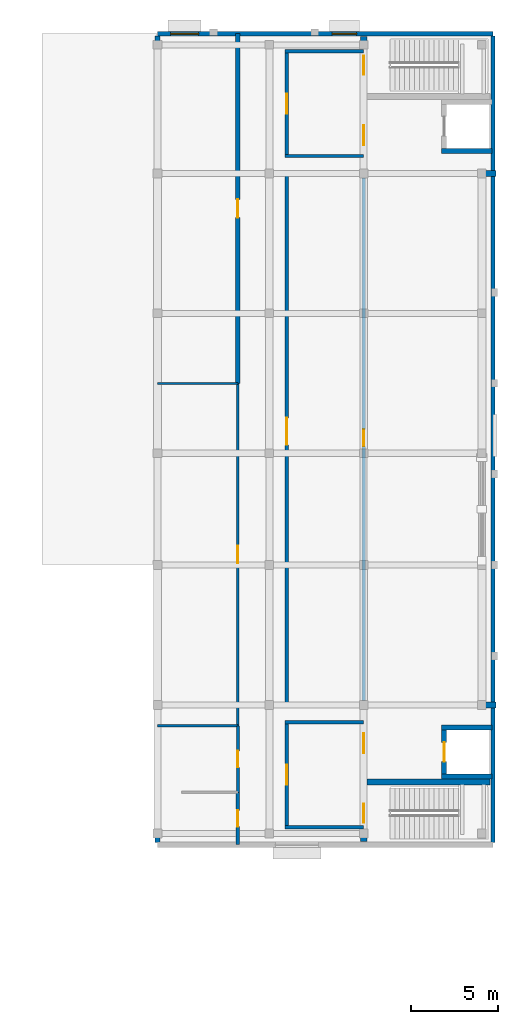
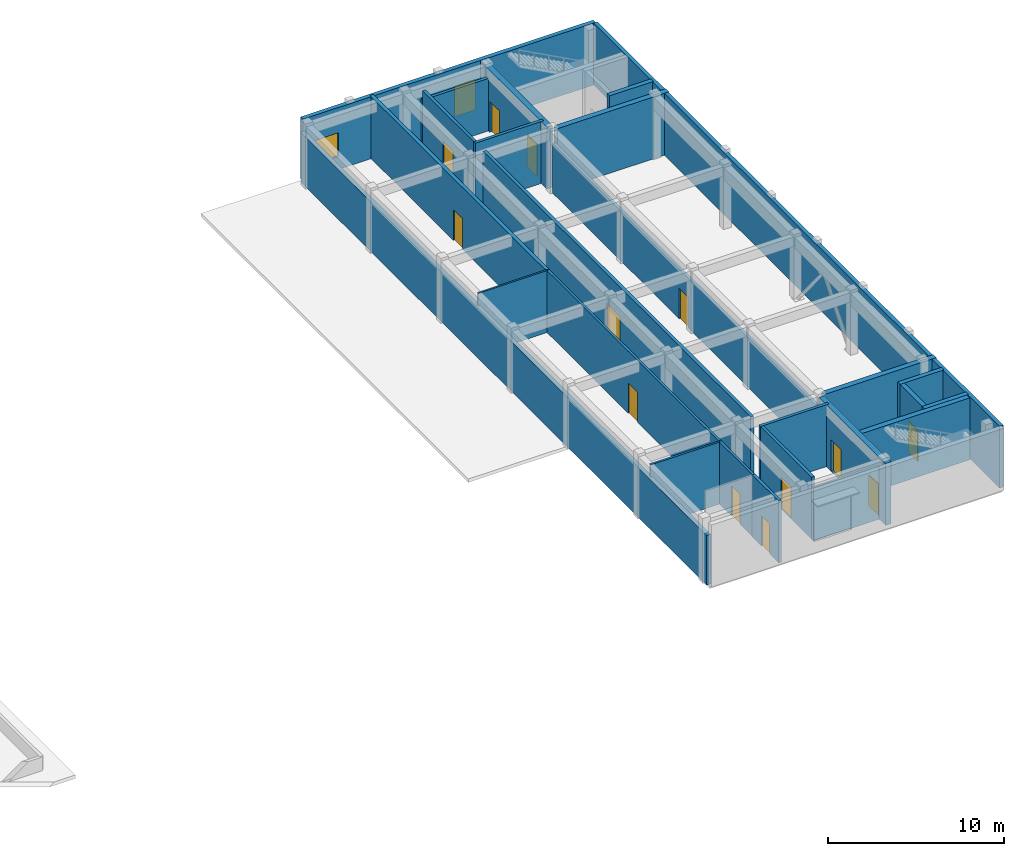
# One storey, part 7 of 11: 26 walls, 13 doors, 2 windows, 15 openings.
"""IFC4 building model written with IfcOpenShell, lengths in metres."""

from ifc_helpers import new_model, si_unit, direction, frame, frame_2d, origin, place, context, subcontext, project, spatial, rectangle, extrude, material, layer, layer_set, type_object, element, fill, save


model = new_model("IFC4")

# Units and contexts
model_context = context("Model", 3, precision=1e-05, world=origin(), true_north=direction((0.0, 1.0)))
body_context = subcontext(model_context, "Body", "Model", "MODEL_VIEW")
ifc_project = project(units=[si_unit("LENGTHUNIT", "METRE"), si_unit("AREAUNIT", "SQUARE_METRE"), si_unit("VOLUMEUNIT", "CUBIC_METRE"), si_unit("PLANEANGLEUNIT", "RADIAN"), si_unit("MASSUNIT", "GRAM", prefix="KILO")], contexts=[model_context])

# Site, building, storey
site_placement = place(None, origin())
site = spatial("IfcSite", under=ifc_project, at=site_placement, CompositionType="ELEMENT")
building_placement = place(site_placement, origin())
building = spatial("IfcBuilding", under=site, at=building_placement, Name="Cinchona Park Media Centre", CompositionType="ELEMENT")
storey_placement = place(building_placement, frame((0.0, 0.0, 24.89990234375)))
storey = spatial("IfcBuildingStorey", under=building, at=storey_placement, Name="L05", CompositionType="ELEMENT", Elevation=24.89990234375)

# Wall, opening, door
ifc_material_1 = material(Name="Acoustic Double-Stud Gypsum Partition", Category="gypsum")
ifc_layer_1 = layer(ifc_material_1, 0.2099609375)
ifc_layer_set_1 = layer_set([ifc_layer_1], Name="Acoustic Double-Stud Gypsum Partition")
wall_type_1 = type_object("IfcWallType", Name="WALL-W-AC210", PredefinedType="PARTITIONING", material=ifc_layer_set_1)
wall_1_placement = place(storey_placement, frame((160.199951171875, 110.0, 0.0), z_axis=(0.0, 0.0, 1.0), x_axis=(0.0, -1.0, 0.0)))
wall_1 = element("IfcWall", 1, at=wall_1_placement, inside=storey, type_object=wall_type_1, Name="Interior Wall W-AC210 L05", PredefinedType="PARTITIONING", context=body_context, shape_type="SweptSolid", body=[
    extrude(rectangle(XDim=30.39990234375, YDim=0.2099609375, at=frame_2d((15.199951171875, 0.0))), origin(), (0.0, 0.0, 1.0), 4.300048828125),
])
opening_1_placement = place(wall_1_placement, frame((13.97998046875, 0.0, 0.0)))
opening_1 = element("IfcOpeningElement", 2, at=opening_1_placement, cuts=wall_1, Name="Opening D361", PredefinedType="OPENING", context=body_context, shape_type="SweptSolid", body=[
    extrude(rectangle(XDim=1.550048828125, YDim=2.25, at=frame_2d((0.77490234375, 1.125))), frame((0.0, 0.114990234375, 0.0), z_axis=(0.0, -1.0, 0.0), x_axis=(1.0, 0.0, 0.0)), (0.0, 0.0, 1.0), 0.22998046875),
])
ifc_material_2 = material(Name="Solid-Core Timber Acoustic Door", Category="wood")
door_type_1 = type_object("IfcDoorType", Name="DOOR-DT16", OperationType="NOTDEFINED", PredefinedType="DOOR", material=ifc_material_2)
door_1_placement = place(opening_1_placement, origin())
door_1 = element("IfcDoor", 3, at=door_1_placement, inside=storey, type_object=door_type_1, Name="Interior Door D361", OperationType="SINGLE_SWING_LEFT", OverallHeight=2.25, OverallWidth=1.550048828125, PredefinedType="DOOR", context=body_context, shape_type="SweptSolid", body=[
    extrude(rectangle(XDim=1.550048828125, YDim=2.25, at=frame_2d((0.77490234375, 1.125))), frame((0.0, 0.02490234375, 0.0), z_axis=(0.0, -1.0, 0.0), x_axis=(1.0, 0.0, 0.0)), (0.0, 0.0, 1.0), 0.050048828125),
])
fill(opening_1, door_1)

ifc_material_3 = material(Name="Acoustic Double-Stud Gypsum Partition", Category="gypsum")
ifc_layer_2 = layer(ifc_material_3, 0.239990234375)
ifc_layer_set_2 = layer_set([ifc_layer_2], Name="Acoustic Double-Stud Gypsum Partition")
wall_type_2 = type_object("IfcWallType", Name="WALL-W-AC240", PredefinedType="PARTITIONING", material=ifc_layer_set_2)
wall_2_placement = place(storey_placement, frame((157.39990234375, 98.0, 0.0), z_axis=(0.0, 0.0, 1.0), x_axis=(0.0, 1.0, 0.0)))
wall_2 = element("IfcWall", 4, at=wall_2_placement, inside=storey, type_object=wall_type_2, Name="Interior Wall W-AC240 L05", PredefinedType="PARTITIONING", context=body_context, shape_type="SweptSolid", body=[
    extrude(rectangle(XDim=20.0, YDim=0.239990234375, at=frame_2d((10.0, 0.0))), origin(), (0.0, 0.0, 1.0), 4.300048828125),
])
opening_2_placement = place(wall_2_placement, frame((9.47509765625, 0.0, 0.0)))
opening_2 = element("IfcOpeningElement", 5, at=opening_2_placement, cuts=wall_2, Name="Opening D360", PredefinedType="OPENING", context=body_context, shape_type="SweptSolid", body=[
    extrude(rectangle(XDim=1.050048828125, YDim=2.14990234375, at=frame_2d((0.52490234375, 1.074951171875))), frame((0.0, 0.1298828125, 0.0), z_axis=(0.0, -1.0, 0.0), x_axis=(1.0, 0.0, 0.0)), (0.0, 0.0, 1.0), 0.260009765625),
])
ifc_material_4 = material(Name="Solid-Core Timber Acoustic Door", Category="wood")
door_type_2 = type_object("IfcDoorType", Name="DOOR-DT06", OperationType="NOTDEFINED", PredefinedType="DOOR", material=ifc_material_4)
door_2_placement = place(opening_2_placement, origin())
door_2 = element("IfcDoor", 6, at=door_2_placement, inside=storey, type_object=door_type_2, Name="Interior Door D360", OperationType="SINGLE_SWING_RIGHT", OverallHeight=2.14990234375, OverallWidth=1.050048828125, PredefinedType="DOOR", context=body_context, shape_type="SweptSolid", body=[
    extrude(rectangle(XDim=1.050048828125, YDim=2.14990234375, at=frame_2d((0.52490234375, 1.074951171875))), frame((0.0, 0.02490234375, 0.0), z_axis=(0.0, -1.0, 0.0), x_axis=(1.0, 0.0, 0.0)), (0.0, 0.0, 1.0), 0.050048828125),
])
fill(opening_2, door_2)

# Wall
ifc_material_5 = material(Name="Concrete C40/50", Category="concrete")
ifc_layer_3 = layer(ifc_material_5, 0.35009765625)
ifc_layer_set_3 = layer_set([ifc_layer_3], Name="Concrete C40/50")
wall_type_3 = type_object("IfcWallType", Name="WALL-W-CR350", PredefinedType="SHEAR", material=ifc_layer_set_3)
wall_3_placement = place(storey_placement, frame((164.85205078125, 79.60009765625, 0.0), z_axis=(0.0, 0.0, 1.0), x_axis=(1.0, 0.0, 0.0)))
element("IfcWall", 7, at=wall_3_placement, inside=storey, type_object=wall_type_3, Name="Core Shear Wall W-CR350 L05", PredefinedType="SHEAR", context=body_context, shape_type="SweptSolid", body=[
    extrude(rectangle(XDim=7.322998046875, YDim=0.35009765625, at=frame_2d((3.66162109375, 0.0))), origin(), (0.0, 0.0, 1.0), 4.300048828125),
])

# Wall, openings, doors
wall_4_placement = place(storey_placement, frame((164.60009765625, 71.77490234375, 0.0), z_axis=(0.0, 0.0, 1.0), x_axis=(0.0, 1.0, 0.0)))
wall_4 = element("IfcWall", 8, at=wall_4_placement, inside=storey, type_object=wall_type_3, Name="Core Shear Wall W-CR350 L05", PredefinedType="SHEAR", context=body_context, shape_type="SweptSolid", body=[
    extrude(rectangle(XDim=7.572998046875, YDim=0.35009765625, at=frame_2d((3.78662109375, 0.0))), origin(), (0.0, 0.0, 1.0), 4.300048828125),
])
opening_3_placement = place(wall_4_placement, frame((1.074951171875, 0.0, 0.0)))
opening_3 = element("IfcOpeningElement", 9, at=opening_3_placement, cuts=wall_4, Name="Opening D116", PredefinedType="OPENING", context=body_context, shape_type="SweptSolid", body=[
    extrude(rectangle(XDim=1.10009765625, YDim=2.14990234375, at=frame_2d((0.550048828125, 1.074951171875))), frame((0.0, 0.18505859375, 0.0), z_axis=(0.0, -1.0, 0.0), x_axis=(1.0, 0.0, 0.0)), (0.0, 0.0, 1.0), 0.3701171875),
])
opening_4_placement = place(wall_4_placement, frame((5.050048828125, 0.0, 0.0)))
opening_4 = element("IfcOpeningElement", 10, at=opening_4_placement, cuts=wall_4, Name="Opening D117", PredefinedType="OPENING", context=body_context, shape_type="SweptSolid", body=[
    extrude(rectangle(XDim=1.14990234375, YDim=2.199951171875, at=frame_2d((0.574951171875, 1.10009765625))), frame((0.0, 0.18505859375, 0.0), z_axis=(0.0, -1.0, 0.0), x_axis=(1.0, 0.0, 0.0)), (0.0, 0.0, 1.0), 0.3701171875),
])
ifc_material_6 = material(Name="Insulated Fire-Rated Steel Door", Category="steel")
door_type_3 = type_object("IfcDoorType", Name="DOOR-DT-FF", OperationType="NOTDEFINED", PredefinedType="DOOR", material=ifc_material_6)
door_3_placement = place(opening_4_placement, origin())
door_3 = element("IfcDoor", 11, at=door_3_placement, inside=storey, type_object=door_type_3, Name="Interior Door D117", OperationType="SINGLE_SWING_LEFT", OverallHeight=2.199951171875, OverallWidth=1.14990234375, PredefinedType="DOOR", context=body_context, shape_type="SweptSolid", body=[
    extrude(rectangle(XDim=1.14990234375, YDim=2.199951171875, at=frame_2d((0.574951171875, 1.10009765625))), frame((0.0, 0.02490234375, 0.0), z_axis=(0.0, -1.0, 0.0), x_axis=(1.0, 0.0, 0.0)), (0.0, 0.0, 1.0), 0.050048828125),
])
fill(opening_4, door_3)
ifc_material_7 = material(Name="Insulated Fire-Rated Steel Door", Category="steel")
door_type_4 = type_object("IfcDoorType", Name="DOOR-DT-ST", OperationType="NOTDEFINED", PredefinedType="DOOR", material=ifc_material_7)
door_4_placement = place(opening_3_placement, origin())
door_4 = element("IfcDoor", 12, at=door_4_placement, inside=storey, type_object=door_type_4, Name="Interior Door D116", OperationType="SINGLE_SWING_RIGHT", OverallHeight=2.14990234375, OverallWidth=1.10009765625, PredefinedType="DOOR", context=body_context, shape_type="SweptSolid", body=[
    extrude(rectangle(XDim=1.10009765625, YDim=2.14990234375, at=frame_2d((0.550048828125, 1.074951171875))), frame((0.0, 0.02490234375, 0.0), z_axis=(0.0, -1.0, 0.0), x_axis=(1.0, 0.0, 0.0)), (0.0, 0.0, 1.0), 0.050048828125),
])
fill(opening_3, door_4)

# Walls
wall_5_placement = place(storey_placement, frame((164.77490234375, 75.199951171875, 0.0), z_axis=(0.0, 0.0, 1.0), x_axis=(1.0, 0.0, 0.0)))
element("IfcWall", 13, at=wall_5_placement, inside=storey, type_object=wall_type_3, Name="Core Shear Wall W-CR350 L05", PredefinedType="SHEAR", context=body_context, shape_type="SweptSolid", body=[
    extrude(rectangle(XDim=7.050048828125, YDim=0.35009765625, at=frame_2d((3.52490234375, 0.0))), origin(), (0.0, 0.0, 1.0), 4.300048828125),
])
wall_6_placement = place(storey_placement, frame((164.85205078125, 110.0, 0.0), z_axis=(0.0, 0.0, 1.0), x_axis=(1.0, 0.0, 0.0)))
element("IfcWall", 14, at=wall_6_placement, inside=storey, type_object=wall_type_3, Name="Core Shear Wall W-CR350 L05", PredefinedType="SHEAR", context=body_context, shape_type="SweptSolid", body=[
    extrude(rectangle(XDim=7.322998046875, YDim=0.35009765625, at=frame_2d((3.66162109375, 0.0))), origin(), (0.0, 0.0, 1.0), 4.300048828125),
])

# Wall, openings, doors
wall_7_placement = place(storey_placement, frame((164.60009765625, 110.251953125, 0.0), z_axis=(0.0, 0.0, 1.0), x_axis=(0.0, 1.0, 0.0)))
wall_7 = element("IfcWall", 15, at=wall_7_placement, inside=storey, type_object=wall_type_3, Name="Core Shear Wall W-CR350 L05", PredefinedType="SHEAR", context=body_context, shape_type="SweptSolid", body=[
    extrude(rectangle(XDim=7.572998046875, YDim=0.35009765625, at=frame_2d((3.78662109375, 0.0))), origin(), (0.0, 0.0, 1.0), 4.300048828125),
])
opening_5_placement = place(wall_7_placement, frame((5.39794921875, 0.0, 0.0)))
opening_5 = element("IfcOpeningElement", 16, at=opening_5_placement, cuts=wall_7, Name="Opening D119", PredefinedType="OPENING", context=body_context, shape_type="SweptSolid", body=[
    extrude(rectangle(XDim=1.10009765625, YDim=2.14990234375, at=frame_2d((0.550048828125, 1.074951171875))), frame((0.0, 0.18505859375, 0.0), z_axis=(0.0, -1.0, 0.0), x_axis=(1.0, 0.0, 0.0)), (0.0, 0.0, 1.0), 0.3701171875),
])
opening_6_placement = place(wall_7_placement, frame((1.373046875, 0.0, 0.0)))
opening_6 = element("IfcOpeningElement", 17, at=opening_6_placement, cuts=wall_7, Name="Opening D120", PredefinedType="OPENING", context=body_context, shape_type="SweptSolid", body=[
    extrude(rectangle(XDim=1.14990234375, YDim=2.199951171875, at=frame_2d((0.574951171875, 1.10009765625))), frame((0.0, 0.18505859375, 0.0), z_axis=(0.0, -1.0, 0.0), x_axis=(1.0, 0.0, 0.0)), (0.0, 0.0, 1.0), 0.3701171875),
])
door_5_placement = place(opening_6_placement, origin())
door_5 = element("IfcDoor", 18, at=door_5_placement, inside=storey, type_object=door_type_3, Name="Interior Door D120", OperationType="SINGLE_SWING_RIGHT", OverallHeight=2.199951171875, OverallWidth=1.14990234375, PredefinedType="DOOR", context=body_context, shape_type="SweptSolid", body=[
    extrude(rectangle(XDim=1.14990234375, YDim=2.199951171875, at=frame_2d((0.574951171875, 1.10009765625))), frame((0.0, 0.02490234375, 0.0), z_axis=(0.0, -1.0, 0.0), x_axis=(1.0, 0.0, 0.0)), (0.0, 0.0, 1.0), 0.050048828125),
])
fill(opening_6, door_5)
door_6_placement = place(opening_5_placement, origin())
door_6 = element("IfcDoor", 19, at=door_6_placement, inside=storey, type_object=door_type_4, Name="Interior Door D119", OperationType="SINGLE_SWING_LEFT", OverallHeight=2.14990234375, OverallWidth=1.10009765625, PredefinedType="DOOR", context=body_context, shape_type="SweptSolid", body=[
    extrude(rectangle(XDim=1.10009765625, YDim=2.14990234375, at=frame_2d((0.550048828125, 1.074951171875))), frame((0.0, 0.02490234375, 0.0), z_axis=(0.0, -1.0, 0.0), x_axis=(1.0, 0.0, 0.0)), (0.0, 0.0, 1.0), 0.050048828125),
])
fill(opening_5, door_6)

# Wall, openings, windows
ifc_material_8 = material(Name="Precast concrete C40/50", Category="concrete")
ifc_layer_4 = layer(ifc_material_8, 0.27490234375)
ifc_layer_set_4 = layer_set([ifc_layer_4], Name="Precast concrete C40/50")
wall_type_4 = type_object("IfcWallType", Name="WALL-W-EX03", PredefinedType="SOLIDWALL", material=ifc_layer_set_4)
wall_8_placement = place(storey_placement, frame((152.800048828125, 118.0, 0.0), z_axis=(0.0, 0.0, 1.0), x_axis=(1.0, 0.0, 0.0)))
wall_8 = element("IfcWall", 20, at=wall_8_placement, inside=storey, type_object=wall_type_4, Name="Exterior Wall W-EX03 V7 L05", PredefinedType="SOLIDWALL", context=body_context, shape_type="SweptSolid", body=[
    extrude(rectangle(XDim=19.199951171875, YDim=0.27490234375, at=frame_2d((9.60009765625, 0.0))), origin(), (0.0, 0.0, 1.0), 4.300048828125),
])
opening_7_placement = place(wall_8_placement, frame((0.75, 0.0, 0.89990234375)))
opening_7 = element("IfcOpeningElement", 21, at=opening_7_placement, cuts=wall_8, Name="Opening WN25", PredefinedType="OPENING", context=body_context, shape_type="SweptSolid", body=[
    extrude(rectangle(XDim=1.60009765625, YDim=1.64990234375, at=frame_2d((0.800048828125, 0.824951171875))), frame((0.0, 0.1474609375, 0.0), z_axis=(0.0, -1.0, 0.0), x_axis=(1.0, 0.0, 0.0)), (0.0, 0.0, 1.0), 0.294921875),
])
opening_8_placement = place(wall_8_placement, frame((10.0, 0.0, 0.89990234375)))
opening_8 = element("IfcOpeningElement", 22, at=opening_8_placement, cuts=wall_8, Name="Opening WN01", PredefinedType="OPENING", context=body_context, shape_type="SweptSolid", body=[
    extrude(rectangle(XDim=1.39990234375, YDim=2.10009765625, at=frame_2d((0.699951171875, 1.050048828125))), frame((0.0, 0.1474609375, 0.0), z_axis=(0.0, -1.0, 0.0), x_axis=(1.0, 0.0, 0.0)), (0.0, 0.0, 1.0), 0.294921875),
])
ifc_material_9 = material(Name="Thermally Broken Aluminium Solar-Control Window", Category="aluminium")
window_type_1 = type_object("IfcWindowType", Name="WIN-WN01", PartitioningType="SINGLE_PANEL", PredefinedType="WINDOW", material=ifc_material_9)
window_1_placement = place(opening_8_placement, origin())
window_1 = element("IfcWindow", 23, at=window_1_placement, inside=storey, type_object=window_type_1, Name="Window WN01 L05", OverallHeight=2.10009765625, OverallWidth=1.39990234375, PartitioningType="SINGLE_PANEL", PredefinedType="WINDOW", context=body_context, shape_type="SweptSolid", body=[
    extrude(rectangle(XDim=1.39990234375, YDim=2.10009765625, at=frame_2d((0.699951171875, 1.050048828125))), frame((0.0, 0.030029296875, 0.0), z_axis=(0.0, -1.0, 0.0), x_axis=(1.0, 0.0, 0.0)), (0.0, 0.0, 1.0), 0.06005859375),
])
fill(opening_8, window_1)
ifc_material_10 = material(Name="Thermally Broken Aluminium Solar-Control Window", Category="aluminium")
window_type_2 = type_object("IfcWindowType", Name="WIN-WN25", PartitioningType="SINGLE_PANEL", PredefinedType="WINDOW", material=ifc_material_10)
window_2_placement = place(opening_7_placement, origin())
window_2 = element("IfcWindow", 24, at=window_2_placement, inside=storey, type_object=window_type_2, Name="Window WN25 L05", OverallHeight=1.64990234375, OverallWidth=1.60009765625, PartitioningType="SINGLE_PANEL", PredefinedType="WINDOW", context=body_context, shape_type="SweptSolid", body=[
    extrude(rectangle(XDim=1.60009765625, YDim=1.64990234375, at=frame_2d((0.800048828125, 0.824951171875))), frame((0.0, 0.030029296875, 0.0), z_axis=(0.0, -1.0, 0.0), x_axis=(1.0, 0.0, 0.0)), (0.0, 0.0, 1.0), 0.06005859375),
])
fill(opening_7, window_2)

# Walls
wall_9_placement = place(storey_placement, frame((152.800048828125, 71.739990234375, 0.0), z_axis=(0.0, 0.0, 1.0), x_axis=(0.0, 1.0, 0.0)))
element("IfcWall", 25, at=wall_9_placement, inside=storey, type_object=wall_type_4, Name="Exterior Wall W-EX03 V7 L05", PredefinedType="SOLIDWALL", context=body_context, shape_type="SweptSolid", body=[
    extrude(rectangle(XDim=46.1201171875, YDim=0.27490234375, at=frame_2d((23.06005859375, 0.0))), origin(), (0.0, 0.0, 1.0), 3.4501953125),
])
ifc_material_11 = material(Name="Precast concrete C40/50", Category="concrete")
ifc_layer_5 = layer(ifc_material_11, 0.25)
ifc_layer_set_5 = layer_set([ifc_layer_5], Name="Precast concrete C40/50")
wall_type_5 = type_object("IfcWallType", Name="WALL-W-EX04", PredefinedType="SOLIDWALL", material=ifc_layer_set_5)
wall_10_placement = place(storey_placement, frame((172.0, 117.860107421875, 0.0), z_axis=(0.0, 0.0, 1.0), x_axis=(0.0, -1.0, 0.0)))
element("IfcWall", 26, at=wall_10_placement, inside=storey, type_object=wall_type_5, Name="Exterior Wall W-EX04 V7 L05", PredefinedType="SOLIDWALL", context=body_context, shape_type="SweptSolid", body=[
    extrude(rectangle(XDim=46.1201171875, YDim=0.25, at=frame_2d((23.06005859375, 0.0))), origin(), (0.0, 0.0, 1.0), 4.300048828125),
])
ifc_material_12 = material(Name="Gypsum Metal-Stud Partition", Category="gypsum")
ifc_layer_6 = layer(ifc_material_12, 0.114990234375)
ifc_layer_set_6 = layer_set([ifc_layer_6], Name="Gypsum Metal-Stud Partition")
wall_type_6 = type_object("IfcWallType", Name="WALL-W-PT115", PredefinedType="PARTITIONING", material=ifc_layer_set_6)
wall_11_placement = place(storey_placement, frame((152.800048828125, 98.0, 0.0), z_axis=(0.0, 0.0, 1.0), x_axis=(1.0, 0.0, 0.0)))
element("IfcWall", 27, at=wall_11_placement, inside=storey, type_object=wall_type_6, Name="Interior Wall W-PT115 L05", PredefinedType="PARTITIONING", context=body_context, shape_type="SweptSolid", body=[
    extrude(rectangle(XDim=4.599853515625, YDim=0.114990234375, at=frame_2d((2.2998046875, 0.0))), origin(), (0.0, 0.0, 1.0), 4.300048828125),
])
ifc_material_13 = material(Name="Gypsum Metal-Stud Partition", Category="gypsum")
ifc_layer_7 = layer(ifc_material_13, 0.135009765625)
ifc_layer_set_7 = layer_set([ifc_layer_7], Name="Gypsum Metal-Stud Partition")
wall_type_7 = type_object("IfcWallType", Name="WALL-W-PT135", PredefinedType="PARTITIONING", material=ifc_layer_set_7)
wall_12_placement = place(storey_placement, frame((152.800048828125, 78.39990234375, 0.0), z_axis=(0.0, 0.0, 1.0), x_axis=(1.0, 0.0, 0.0)))
element("IfcWall", 28, at=wall_12_placement, inside=storey, type_object=wall_type_7, Name="Interior Wall W-PT135 L05", PredefinedType="PARTITIONING", context=body_context, shape_type="SweptSolid", body=[
    extrude(rectangle(XDim=4.599853515625, YDim=0.135009765625, at=frame_2d((2.2998046875, 0.0))), origin(), (0.0, 0.0, 1.0), 4.300048828125),
])

# Wall, opening, door
ifc_material_14 = material(Name="Fire-Rated Gypsum Stud Partition", Category="gypsum")
ifc_layer_8 = layer(ifc_material_14, 0.14990234375)
ifc_layer_set_8 = layer_set([ifc_layer_8], Name="Fire-Rated Gypsum Stud Partition")
wall_type_8 = type_object("IfcWallType", Name="WALL-W-PT150", PredefinedType="PARTITIONING", material=ifc_layer_set_8)
wall_13_placement = place(storey_placement, frame((157.39990234375, 78.39990234375, 0.0), z_axis=(0.0, 0.0, 1.0), x_axis=(0.0, 1.0, 0.0)))
wall_13 = element("IfcWall", 29, at=wall_13_placement, inside=storey, type_object=wall_type_8, Name="Interior Wall W-PT150 L05", PredefinedType="PARTITIONING", context=body_context, shape_type="SweptSolid", body=[
    extrude(rectangle(XDim=19.60009765625, YDim=0.14990234375, at=frame_2d((9.800048828125, 0.0))), origin(), (0.0, 0.0, 1.0), 4.300048828125),
])
opening_9_placement = place(wall_13_placement, frame((9.2900390625, 0.0, 0.0)))
opening_9 = element("IfcOpeningElement", 30, at=opening_9_placement, cuts=wall_13, Name="Opening D359", PredefinedType="OPENING", context=body_context, shape_type="SweptSolid", body=[
    extrude(rectangle(XDim=1.02001953125, YDim=2.10009765625, at=frame_2d((0.510009765625, 1.050048828125))), frame((0.0, 0.0849609375, 0.0), z_axis=(0.0, -1.0, 0.0), x_axis=(1.0, 0.0, 0.0)), (0.0, 0.0, 1.0), 0.169921875),
])
ifc_material_15 = material(Name="Solid-Core Timber Acoustic Door", Category="wood")
door_type_5 = type_object("IfcDoorType", Name="DOOR-DT05", OperationType="NOTDEFINED", PredefinedType="DOOR", material=ifc_material_15)
door_7_placement = place(opening_9_placement, origin())
door_7 = element("IfcDoor", 31, at=door_7_placement, inside=storey, type_object=door_type_5, Name="Interior Door D359", OperationType="SINGLE_SWING_LEFT", OverallHeight=2.10009765625, OverallWidth=1.02001953125, PredefinedType="DOOR", context=body_context, shape_type="SweptSolid", body=[
    extrude(rectangle(XDim=1.02001953125, YDim=2.10009765625, at=frame_2d((0.510009765625, 1.050048828125))), frame((0.0, 0.02490234375, 0.0), z_axis=(0.0, -1.0, 0.0), x_axis=(1.0, 0.0, 0.0)), (0.0, 0.0, 1.0), 0.050048828125),
])
fill(opening_9, door_7)

ifc_material_16 = material(Name="Fire-Rated Gypsum Stud Partition", Category="gypsum")
ifc_layer_9 = layer(ifc_material_16, 0.1650390625)
ifc_layer_set_9 = layer_set([ifc_layer_9], Name="Fire-Rated Gypsum Stud Partition")
wall_type_9 = type_object("IfcWallType", Name="WALL-W-PT165", PredefinedType="PARTITIONING", material=ifc_layer_set_9)
wall_14_placement = place(storey_placement, frame((157.39990234375, 74.60009765625, 0.0), z_axis=(0.0, 0.0, 1.0), x_axis=(0.0, 1.0, 0.0)))
wall_14 = element("IfcWall", 32, at=wall_14_placement, inside=storey, type_object=wall_type_9, Name="Interior Wall W-PT165 L05", PredefinedType="PARTITIONING", context=body_context, shape_type="SweptSolid", body=[
    extrude(rectangle(XDim=3.7998046875, YDim=0.1650390625, at=frame_2d((1.89990234375, 0.0))), origin(), (0.0, 0.0, 1.0), 4.300048828125),
])
opening_10_placement = place(wall_14_placement, frame((1.425048828125, 0.0, 0.0)))
opening_10 = element("IfcOpeningElement", 33, at=opening_10_placement, cuts=wall_14, Name="Opening D358", PredefinedType="OPENING", context=body_context, shape_type="SweptSolid", body=[
    extrude(rectangle(XDim=0.949951171875, YDim=2.10009765625, at=frame_2d((0.47509765625, 1.050048828125))), frame((0.0, 0.092529296875, 0.0), z_axis=(0.0, -1.0, 0.0), x_axis=(1.0, 0.0, 0.0)), (0.0, 0.0, 1.0), 0.18505859375),
])
ifc_material_17 = material(Name="Solid-Core Timber Acoustic Door", Category="wood")
door_type_6 = type_object("IfcDoorType", Name="DOOR-DT02", OperationType="NOTDEFINED", PredefinedType="DOOR", material=ifc_material_17)
door_8_placement = place(opening_10_placement, origin())
door_8 = element("IfcDoor", 34, at=door_8_placement, inside=storey, type_object=door_type_6, Name="Interior Door D358", OperationType="SINGLE_SWING_RIGHT", OverallHeight=2.10009765625, OverallWidth=0.949951171875, PredefinedType="DOOR", context=body_context, shape_type="SweptSolid", body=[
    extrude(rectangle(XDim=0.949951171875, YDim=2.10009765625, at=frame_2d((0.47509765625, 1.050048828125))), frame((0.0, 0.02490234375, 0.0), z_axis=(0.0, -1.0, 0.0), x_axis=(1.0, 0.0, 0.0)), (0.0, 0.0, 1.0), 0.050048828125),
])
fill(opening_10, door_8)

# Walls
ifc_material_18 = material(Name="Fire-Rated Gypsum Stud Partition", Category="gypsum")
ifc_layer_10 = layer(ifc_material_18, 0.18994140625)
ifc_layer_set_10 = layer_set([ifc_layer_10], Name="Fire-Rated Gypsum Stud Partition")
wall_type_10 = type_object("IfcWallType", Name="WALL-W-PT190", PredefinedType="PARTITIONING", material=ifc_layer_set_10)
wall_15_placement = place(storey_placement, frame((160.10498046875, 72.60009765625, 0.0), z_axis=(0.0, 0.0, 1.0), x_axis=(1.0, 0.0, 0.0)))
element("IfcWall", 35, at=wall_15_placement, inside=storey, type_object=wall_type_10, Name="Interior Wall W-PT190 L05", PredefinedType="PARTITIONING", context=body_context, shape_type="SweptSolid", body=[
    extrude(rectangle(XDim=4.4951171875, YDim=0.18994140625, at=frame_2d((2.24755859375, 0.0))), origin(), (0.0, 0.0, 1.0), 3.650146484375),
])
wall_16_placement = place(storey_placement, frame((160.10498046875, 78.60009765625, 0.0), z_axis=(0.0, 0.0, 1.0), x_axis=(1.0, 0.0, 0.0)))
element("IfcWall", 36, at=wall_16_placement, inside=storey, type_object=wall_type_10, Name="Interior Wall W-PT190 L05", PredefinedType="PARTITIONING", context=body_context, shape_type="SweptSolid", body=[
    extrude(rectangle(XDim=4.4951171875, YDim=0.18994140625, at=frame_2d((2.24755859375, 0.0))), origin(), (0.0, 0.0, 1.0), 4.300048828125),
])

# Wall, opening, door
wall_17_placement = place(storey_placement, frame((160.199951171875, 72.695068359375, 0.0), z_axis=(0.0, 0.0, 1.0), x_axis=(0.0, 1.0, 0.0)))
wall_17 = element("IfcWall", 37, at=wall_17_placement, inside=storey, type_object=wall_type_10, Name="Interior Wall W-PT190 L05", PredefinedType="PARTITIONING", context=body_context, shape_type="SweptSolid", body=[
    extrude(rectangle(XDim=5.809814453125, YDim=0.18994140625, at=frame_2d((2.90478515625, 0.0))), origin(), (0.0, 0.0, 1.0), 4.300048828125),
])
opening_11_placement = place(wall_17_placement, frame((2.330078125, 0.0, 0.0)))
opening_11 = element("IfcOpeningElement", 38, at=opening_11_placement, cuts=wall_17, Name="Opening D118", PredefinedType="OPENING", context=body_context, shape_type="SweptSolid", body=[
    extrude(rectangle(XDim=1.14990234375, YDim=2.199951171875, at=frame_2d((0.574951171875, 1.10009765625))), frame((0.0, 0.10498046875, 0.0), z_axis=(0.0, -1.0, 0.0), x_axis=(1.0, 0.0, 0.0)), (0.0, 0.0, 1.0), 0.2099609375),
])
door_9_placement = place(opening_11_placement, origin())
door_9 = element("IfcDoor", 39, at=door_9_placement, inside=storey, type_object=door_type_3, Name="Interior Door D118", OperationType="SINGLE_SWING_RIGHT", OverallHeight=2.199951171875, OverallWidth=1.14990234375, PredefinedType="DOOR", context=body_context, shape_type="SweptSolid", body=[
    extrude(rectangle(XDim=1.14990234375, YDim=2.199951171875, at=frame_2d((0.574951171875, 1.10009765625))), frame((0.0, 0.02490234375, 0.0), z_axis=(0.0, -1.0, 0.0), x_axis=(1.0, 0.0, 0.0)), (0.0, 0.0, 1.0), 0.050048828125),
])
fill(opening_11, door_9)

# Walls
wall_18_placement = place(storey_placement, frame((160.10498046875, 111.0, 0.0), z_axis=(0.0, 0.0, 1.0), x_axis=(1.0, 0.0, 0.0)))
element("IfcWall", 40, at=wall_18_placement, inside=storey, type_object=wall_type_10, Name="Interior Wall W-PT190 L05", PredefinedType="PARTITIONING", context=body_context, shape_type="SweptSolid", body=[
    extrude(rectangle(XDim=4.4951171875, YDim=0.18994140625, at=frame_2d((2.24755859375, 0.0))), origin(), (0.0, 0.0, 1.0), 4.300048828125),
])
wall_19_placement = place(storey_placement, frame((160.10498046875, 117.0, 0.0), z_axis=(0.0, 0.0, 1.0), x_axis=(1.0, 0.0, 0.0)))
element("IfcWall", 41, at=wall_19_placement, inside=storey, type_object=wall_type_10, Name="Interior Wall W-PT190 L05", PredefinedType="PARTITIONING", context=body_context, shape_type="SweptSolid", body=[
    extrude(rectangle(XDim=4.4951171875, YDim=0.18994140625, at=frame_2d((2.24755859375, 0.0))), origin(), (0.0, 0.0, 1.0), 3.650146484375),
])

# Wall, opening, door
wall_20_placement = place(storey_placement, frame((160.199951171875, 111.094970703125, 0.0), z_axis=(0.0, 0.0, 1.0), x_axis=(0.0, 1.0, 0.0)))
wall_20 = element("IfcWall", 42, at=wall_20_placement, inside=storey, type_object=wall_type_10, Name="Interior Wall W-PT190 L05", PredefinedType="PARTITIONING", context=body_context, shape_type="SweptSolid", body=[
    extrude(rectangle(XDim=5.81005859375, YDim=0.18994140625, at=frame_2d((2.905029296875, 0.0))), origin(), (0.0, 0.0, 1.0), 4.300048828125),
])
opening_12_placement = place(wall_20_placement, frame((2.330078125, 0.0, 0.0)))
opening_12 = element("IfcOpeningElement", 43, at=opening_12_placement, cuts=wall_20, Name="Opening D121", PredefinedType="OPENING", context=body_context, shape_type="SweptSolid", body=[
    extrude(rectangle(XDim=1.14990234375, YDim=2.199951171875, at=frame_2d((0.574951171875, 1.10009765625))), frame((0.0, 0.10498046875, 0.0), z_axis=(0.0, -1.0, 0.0), x_axis=(1.0, 0.0, 0.0)), (0.0, 0.0, 1.0), 0.2099609375),
])
door_10_placement = place(opening_12_placement, origin())
door_10 = element("IfcDoor", 44, at=door_10_placement, inside=storey, type_object=door_type_3, Name="Interior Door D121", OperationType="SINGLE_SWING_LEFT", OverallHeight=2.199951171875, OverallWidth=1.14990234375, PredefinedType="DOOR", context=body_context, shape_type="SweptSolid", body=[
    extrude(rectangle(XDim=1.14990234375, YDim=2.199951171875, at=frame_2d((0.574951171875, 1.10009765625))), frame((0.0, 0.02490234375, 0.0), z_axis=(0.0, -1.0, 0.0), x_axis=(1.0, 0.0, 0.0)), (0.0, 0.0, 1.0), 0.050048828125),
])
fill(opening_12, door_10)

wall_21_placement = place(storey_placement, frame((157.39990234375, 71.60009765625, 0.0), z_axis=(0.0, 0.0, 1.0), x_axis=(0.0, 1.0, 0.0)))
wall_21 = element("IfcWall", 45, at=wall_21_placement, inside=storey, type_object=wall_type_10, Name="Interior Wall W-PT190 L05", PredefinedType="PARTITIONING", context=body_context, shape_type="SweptSolid", body=[
    extrude(rectangle(XDim=3.0, YDim=0.18994140625, at=frame_2d((1.5, 0.0))), origin(), (0.0, 0.0, 1.0), 4.300048828125),
])
opening_13_placement = place(wall_21_placement, frame((1.0400390625, 0.0, 0.0)))
opening_13 = element("IfcOpeningElement", 46, at=opening_13_placement, cuts=wall_21, Name="Opening D357", PredefinedType="OPENING", context=body_context, shape_type="SweptSolid", body=[
    extrude(rectangle(XDim=0.919921875, YDim=2.10009765625, at=frame_2d((0.4599609375, 1.050048828125))), frame((0.0, 0.10498046875, 0.0), z_axis=(0.0, -1.0, 0.0), x_axis=(1.0, 0.0, 0.0)), (0.0, 0.0, 1.0), 0.2099609375),
])
ifc_material_19 = material(Name="Solid-Core Timber Acoustic Door", Category="wood")
door_type_7 = type_object("IfcDoorType", Name="DOOR-DT01", OperationType="NOTDEFINED", PredefinedType="DOOR", material=ifc_material_19)
door_11_placement = place(opening_13_placement, origin())
door_11 = element("IfcDoor", 47, at=door_11_placement, inside=storey, type_object=door_type_7, Name="Interior Door D357", OperationType="SINGLE_SWING_LEFT", OverallHeight=2.10009765625, OverallWidth=0.919921875, PredefinedType="DOOR", context=body_context, shape_type="SweptSolid", body=[
    extrude(rectangle(XDim=0.919921875, YDim=2.10009765625, at=frame_2d((0.4599609375, 1.050048828125))), frame((0.0, 0.02490234375, 0.0), z_axis=(0.0, -1.0, 0.0), x_axis=(1.0, 0.0, 0.0)), (0.0, 0.0, 1.0), 0.050048828125),
])
fill(opening_13, door_11)

wall_22_placement = place(storey_placement, frame((164.60009765625, 109.748046875, 0.0), z_axis=(0.0, 0.0, 1.0), x_axis=(0.0, -1.0, 0.0)))
wall_22 = element("IfcWall", 48, at=wall_22_placement, inside=storey, type_object=wall_type_10, Name="Interior Wall W-PT190 L05", PredefinedType="PARTITIONING", context=body_context, shape_type="SweptSolid", body=[
    extrude(rectangle(XDim=29.89599609375, YDim=0.18994140625, at=frame_2d((14.947998046875, 0.0))), origin(), (0.0, 0.0, 1.0), 3.4501953125),
])
opening_14_placement = place(wall_22_placement, frame((14.3798828125, 0.0, 0.0)))
opening_14 = element("IfcOpeningElement", 49, at=opening_14_placement, cuts=wall_22, Name="Opening D364", PredefinedType="OPENING", context=body_context, shape_type="SweptSolid", body=[
    extrude(rectangle(XDim=0.97998046875, YDim=2.10009765625, at=frame_2d((0.489990234375, 1.050048828125))), frame((0.0, 0.10498046875, 0.0), z_axis=(0.0, -1.0, 0.0), x_axis=(1.0, 0.0, 0.0)), (0.0, 0.0, 1.0), 0.2099609375),
])
ifc_material_20 = material(Name="Fire-Rated Acoustic Timber-Steel Door", Category="steel")
door_type_8 = type_object("IfcDoorType", Name="DOOR-DT03", OperationType="NOTDEFINED", PredefinedType="DOOR", material=ifc_material_20)
door_12_placement = place(opening_14_placement, origin())
door_12 = element("IfcDoor", 50, at=door_12_placement, inside=storey, type_object=door_type_8, Name="Interior Door D364", OperationType="SINGLE_SWING_RIGHT", OverallHeight=2.10009765625, OverallWidth=0.97998046875, PredefinedType="DOOR", context=body_context, shape_type="SweptSolid", body=[
    extrude(rectangle(XDim=0.97998046875, YDim=2.10009765625, at=frame_2d((0.489990234375, 1.050048828125))), frame((0.0, 0.02490234375, 0.0), z_axis=(0.0, -1.0, 0.0), x_axis=(1.0, 0.0, 0.0)), (0.0, 0.0, 1.0), 0.050048828125),
])
fill(opening_14, door_12)

# Walls
ifc_material_21 = material(Name="Concrete C40/50", Category="concrete")
ifc_layer_11 = layer(ifc_material_21, 0.2900390625)
ifc_layer_set_11 = layer_set([ifc_layer_11], Name="Concrete C40/50")
wall_type_11 = type_object("IfcWallType", Name="WALL-W-SH290", PredefinedType="SHEAR", material=ifc_layer_set_11)
for number, where, z_axis, x_axis, name in (
    (51, (169.054931640625, 75.5, 0.0), (0.0, 0.0, 1.0), (1.0, 0.0, 0.0), "Core Shear Wall W-SH290 L05"),
    (52, (169.054931640625, 78.300048828125, 0.0), (0.0, 0.0, 1.0), (1.0, 0.0, 0.0), "Core Shear Wall W-SH290 L05"),
):
    element("IfcWall", number, at=place(storey_placement, frame(where, z_axis=z_axis, x_axis=x_axis)), inside=storey, type_object=wall_type_11, Name=name, PredefinedType="SHEAR", context=body_context, shape_type="SweptSolid", body=[
        extrude(rectangle(XDim=2.89013671875, YDim=0.2900390625, at=frame_2d((1.445068359375, 0.0))), origin(), (0.0, 0.0, 1.0), 4.300048828125),
    ])

# Wall, opening, door
wall_23_placement = place(storey_placement, frame((169.199951171875, 75.64501953125, 0.0), z_axis=(0.0, 0.0, 1.0), x_axis=(0.0, 1.0, 0.0)))
wall_23 = element("IfcWall", 53, at=wall_23_placement, inside=storey, type_object=wall_type_11, Name="Core Shear Wall W-SH290 L05", PredefinedType="SHEAR", context=body_context, shape_type="SweptSolid", body=[
    extrude(rectangle(XDim=2.510009765625, YDim=0.2900390625, at=frame_2d((1.2548828125, 0.0))), origin(), (0.0, 0.0, 1.0), 4.300048828125),
])
opening_15_placement = place(wall_23_placement, frame((0.705078125, 0.0, 0.0)))
opening_15 = element("IfcOpeningElement", 54, at=opening_15_placement, cuts=wall_23, Name="Opening LD40", PredefinedType="OPENING", context=body_context, shape_type="SweptSolid", body=[
    extrude(rectangle(XDim=1.10009765625, YDim=2.14990234375, at=frame_2d((0.550048828125, 1.074951171875))), frame((0.0, 0.155029296875, 0.0), z_axis=(0.0, -1.0, 0.0), x_axis=(1.0, 0.0, 0.0)), (0.0, 0.0, 1.0), 0.31005859375),
])
ifc_material_22 = material(Name="Stainless Steel Sliding Lift Landing Door", Category="steel")
door_type_9 = type_object("IfcDoorType", Name="DOOR-DT-LD1", OperationType="NOTDEFINED", PredefinedType="DOOR", material=ifc_material_22)
door_13_placement = place(opening_15_placement, origin())
door_13 = element("IfcDoor", 55, at=door_13_placement, inside=storey, type_object=door_type_9, Name="Lift Landing Door LD40", OperationType="SLIDING_TO_LEFT", OverallHeight=2.14990234375, OverallWidth=1.10009765625, PredefinedType="DOOR", context=body_context, shape_type="SweptSolid", body=[
    extrude(rectangle(XDim=1.10009765625, YDim=2.14990234375, at=frame_2d((0.550048828125, 1.074951171875))), frame((0.0, 0.02490234375, 0.0), z_axis=(0.0, -1.0, 0.0), x_axis=(1.0, 0.0, 0.0)), (0.0, 0.0, 1.0), 0.050048828125),
])
fill(opening_15, door_13)

# Wall
wall_24_placement = place(storey_placement, frame((169.054931640625, 111.300048828125, 0.0), z_axis=(0.0, 0.0, 1.0), x_axis=(1.0, 0.0, 0.0)))
element("IfcWall", 56, at=wall_24_placement, inside=storey, type_object=wall_type_11, Name="Core Shear Wall W-SH290 L05", PredefinedType="SHEAR", context=body_context, shape_type="SweptSolid", body=[
    extrude(rectangle(XDim=2.89013671875, YDim=0.2900390625, at=frame_2d((1.445068359375, 0.0))), origin(), (0.0, 0.0, 1.0), 4.300048828125),
])

save(model, "model.ifc")
